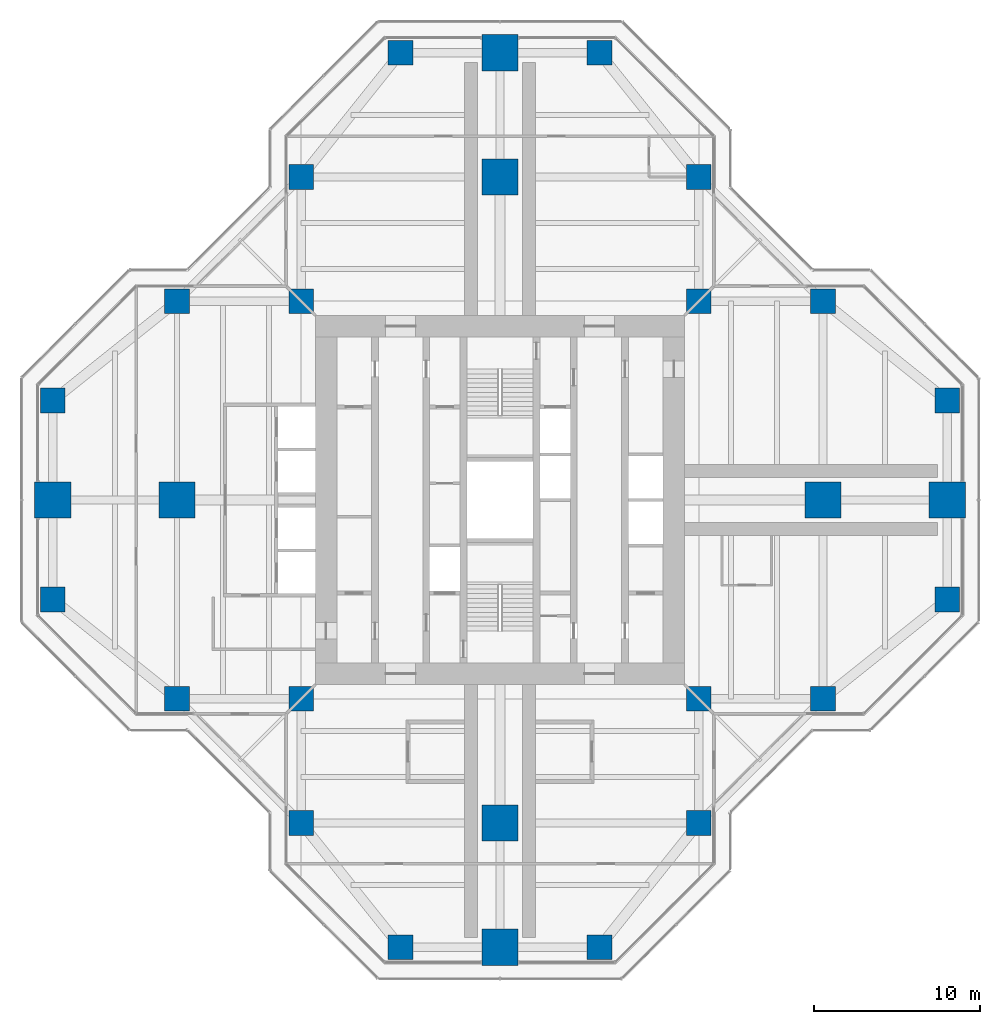
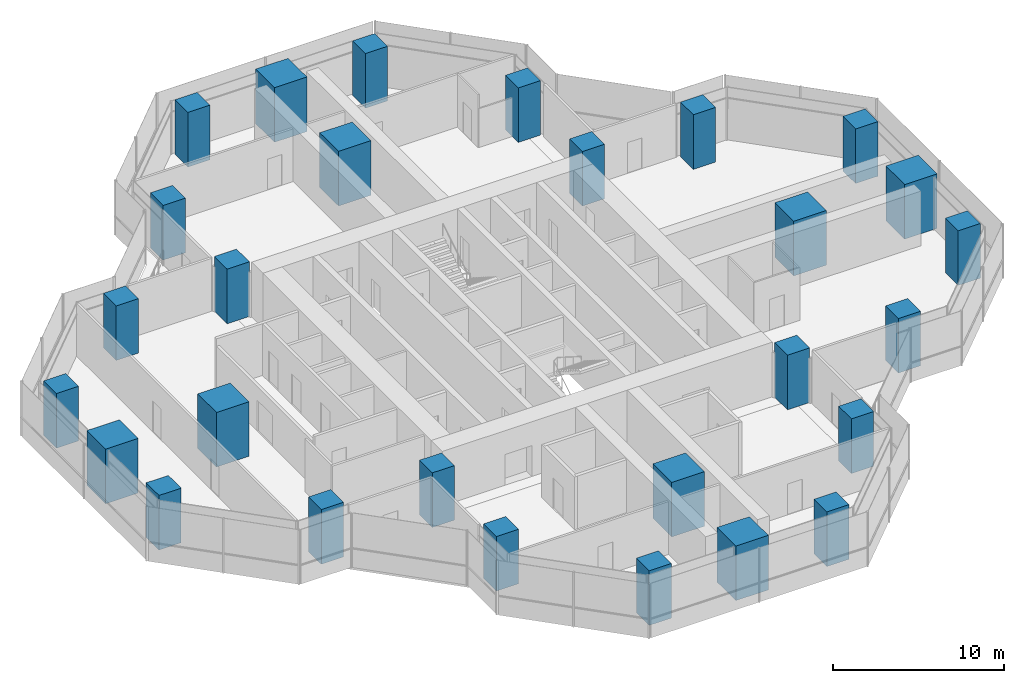
# One storey, part 1 of 17: 28 columns.
"""IFC4 building model written with IfcOpenShell, lengths in metres."""

from ifc_helpers import new_model, si_unit, direction, frame, origin, origin_2d, place, context, subcontext, project, spatial, rectangle, extrude, material, material_profile, profile_set, type_object, element, save


model = new_model("IFC4")

# Units and contexts
model_context = context("Model", 3, precision=1e-05, world=origin(), true_north=direction((0.0, 1.0)))
body_context = subcontext(model_context, "Body", "Model", "MODEL_VIEW")
ifc_project = project(units=[si_unit("LENGTHUNIT", "METRE"), si_unit("AREAUNIT", "SQUARE_METRE"), si_unit("VOLUMEUNIT", "CUBIC_METRE"), si_unit("PLANEANGLEUNIT", "RADIAN"), si_unit("MASSUNIT", "GRAM", prefix="KILO")], contexts=[model_context])

# Site, building, storey
site_placement = place(None, origin())
site = spatial("IfcSite", under=ifc_project, at=site_placement, CompositionType="ELEMENT")
building_placement = place(site_placement, origin())
building = spatial("IfcBuilding", under=site, at=building_placement, Name="Mizan Broadcast Tower", CompositionType="ELEMENT")
storey_placement = place(building_placement, frame((0.0, 0.0, 224.39990234375)))
storey = spatial("IfcBuildingStorey", under=building, at=storey_placement, Name="L52", CompositionType="ELEMENT", Elevation=224.39990234375)

# Columns
ifc_material_1 = material(Name="Concrete C70/85", Category="concrete")
ifc_material_profile_1 = material_profile(ifc_material_1, rectangle(XDim=1.5, YDim=1.5, at=origin_2d()), Name="RC 1500x1500")
ifc_profile_set_1 = profile_set([ifc_material_profile_1], Name="Concrete C70/85")
column_type_1 = type_object("IfcColumnType", Name="RC COLUMN 1500x1500 C70/85", PredefinedType="COLUMN", material=ifc_profile_set_1)
for number, where, z_axis, x_axis, name in (
    (1, (-6.0, -27.0, 0.0), (0.0, 0.0, 1.0), (1.0, 0.0, 0.0), "Column 5/B L52"),
    (2, (6.0, -27.0, 0.0), (0.0, 0.0, 1.0), (1.0, 0.0, 0.0), "Column 7/B L52"),
    (3, (-12.0, -19.5, 0.0), (0.0, 0.0, 1.0), (1.0, 0.0, 0.0), "Column 4/C L52"),
    (4, (12.0, -19.5, 0.0), (0.0, 0.0, 1.0), (1.0, 0.0, 0.0), "Column 8/C L52"),
    (5, (-19.5, -12.0, 0.0), (0.0, 0.0, 1.0), (1.0, 0.0, 0.0), "Column 3/D L52"),
    (6, (-12.0, -12.0, 0.0), (0.0, 0.0, 1.0), (1.0, 0.0, 0.0), "Column 4/D L52"),
    (7, (12.0, -12.0, 0.0), (0.0, 0.0, 1.0), (1.0, 0.0, 0.0), "Column 8/D L52"),
    (8, (19.5, -12.0, 0.0), (0.0, 0.0, 1.0), (1.0, 0.0, 0.0), "Column 9/D L52"),
    (9, (-27.0, -6.0, 0.0), (0.0, 0.0, 1.0), (1.0, 0.0, 0.0), "Column 2/E L52"),
    (10, (27.0, -6.0, 0.0), (0.0, 0.0, 1.0), (1.0, 0.0, 0.0), "Column 10/E L52"),
    (11, (-27.0, 6.0, 0.0), (0.0, 0.0, 1.0), (1.0, 0.0, 0.0), "Column 2/G L52"),
    (12, (27.0, 6.0, 0.0), (0.0, 0.0, 1.0), (1.0, 0.0, 0.0), "Column 10/G L52"),
    (13, (-19.5, 12.0, 0.0), (0.0, 0.0, 1.0), (1.0, 0.0, 0.0), "Column 3/H L52"),
    (14, (-12.0, 12.0, 0.0), (0.0, 0.0, 1.0), (1.0, 0.0, 0.0), "Column 4/H L52"),
    (15, (12.0, 12.0, 0.0), (0.0, 0.0, 1.0), (1.0, 0.0, 0.0), "Column 8/H L52"),
    (16, (19.5, 12.0, 0.0), (0.0, 0.0, 1.0), (1.0, 0.0, 0.0), "Column 9/H L52"),
    (17, (-12.0, 19.5, 0.0), (0.0, 0.0, 1.0), (1.0, 0.0, 0.0), "Column 4/J L52"),
    (18, (12.0, 19.5, 0.0), (0.0, 0.0, 1.0), (1.0, 0.0, 0.0), "Column 8/J L52"),
    (19, (-6.0, 27.0, 0.0), (0.0, 0.0, 1.0), (1.0, 0.0, 0.0), "Column 5/K L52"),
    (20, (6.0, 27.0, 0.0), (0.0, 0.0, 1.0), (1.0, 0.0, 0.0), "Column 7/K L52"),
):
    element("IfcColumn", number, at=place(storey_placement, frame(where, z_axis=z_axis, x_axis=x_axis)), inside=storey, type_object=column_type_1, Name=name, PredefinedType="COLUMN", context=body_context, shape_type="SweptSolid", body=[
        extrude(rectangle(XDim=1.5, YDim=1.5, at=origin_2d()), origin(), (0.0, 0.0, 1.0), 3.900146484375),
    ])
ifc_material_2 = material(Name="Concrete C70/85", Category="concrete")
ifc_material_profile_2 = material_profile(ifc_material_2, rectangle(XDim=2.199951171875, YDim=2.199951171875, at=origin_2d()), Name="RC 2200x2200")
ifc_profile_set_2 = profile_set([ifc_material_profile_2], Name="Concrete C70/85")
column_type_2 = type_object("IfcColumnType", Name="RC COLUMN 2200x2200 C70/85", PredefinedType="COLUMN", material=ifc_profile_set_2)
for number, where, z_axis, x_axis, name in (
    (21, (0.0, -27.0, 0.0), (0.0, 0.0, 1.0), (1.0, 0.0, 0.0), "Column 6/B L52"),
    (22, (0.0, -19.5, 0.0), (0.0, 0.0, 1.0), (1.0, 0.0, 0.0), "Column 6/C L52"),
    (23, (-27.0, 0.0, 0.0), (0.0, 0.0, 1.0), (1.0, 0.0, 0.0), "Column 2/F L52"),
    (24, (-19.5, 0.0, 0.0), (0.0, 0.0, 1.0), (1.0, 0.0, 0.0), "Column 3/F L52"),
    (25, (19.5, 0.0, 0.0), (0.0, 0.0, 1.0), (1.0, 0.0, 0.0), "Column 9/F L52"),
    (26, (27.0, 0.0, 0.0), (0.0, 0.0, 1.0), (1.0, 0.0, 0.0), "Column 10/F L52"),
    (27, (0.0, 19.5, 0.0), (0.0, 0.0, 1.0), (1.0, 0.0, 0.0), "Column 6/J L52"),
    (28, (0.0, 27.0, 0.0), (0.0, 0.0, 1.0), (1.0, 0.0, 0.0), "Column 6/K L52"),
):
    element("IfcColumn", number, at=place(storey_placement, frame(where, z_axis=z_axis, x_axis=x_axis)), inside=storey, type_object=column_type_2, Name=name, PredefinedType="COLUMN", context=body_context, shape_type="SweptSolid", body=[
        extrude(rectangle(XDim=2.199951171875, YDim=2.199951171875, at=origin_2d()), origin(), (0.0, 0.0, 1.0), 3.900146484375),
    ])

save(model, "model.ifc")
